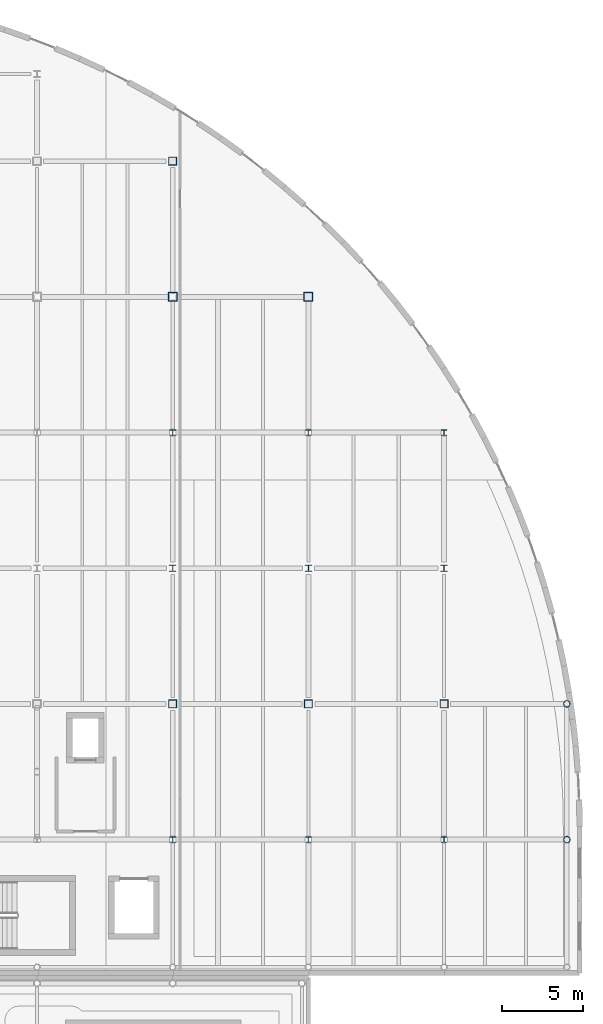
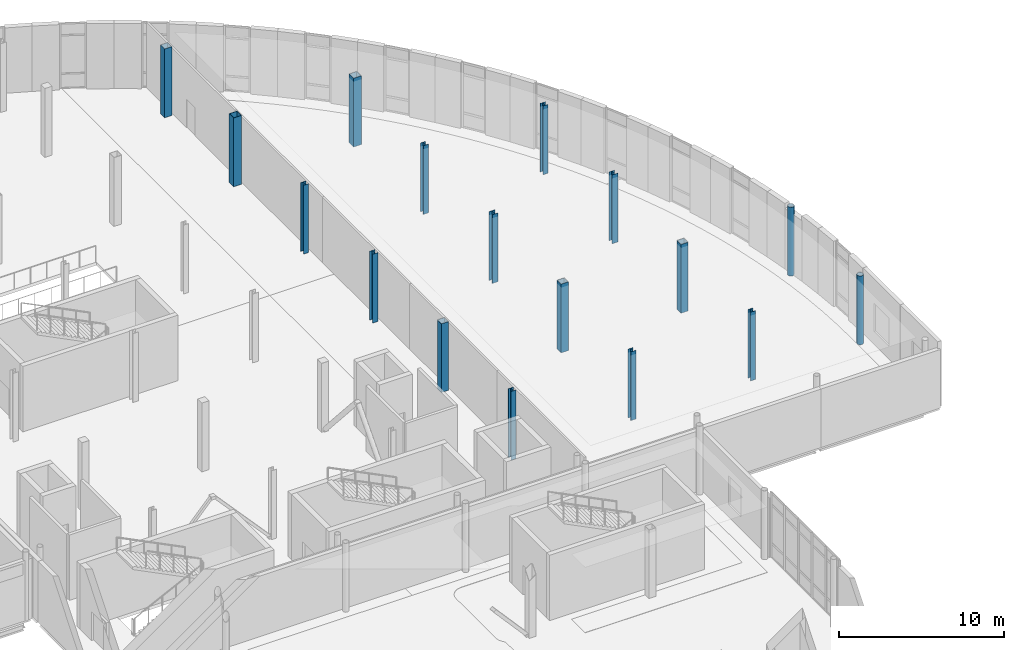
# One storey, part 13 of 104: 17 columns.
"""IFC4 building model written with IfcOpenShell, lengths in metres."""

from ifc_helpers import new_model, si_unit, direction, frame, origin, origin_2d, place, context, subcontext, project, spatial, hollow_rectangle, hollow_circle, i_section, extrude, material, material_profile, profile_set, type_object, element, save


model = new_model("IFC4")

# Units and contexts
model_context = context("Model", 3, precision=1e-05, world=origin(), true_north=direction((0.0, 1.0)))
body_context = subcontext(model_context, "Body", "Model", "MODEL_VIEW")
ifc_project = project(units=[si_unit("LENGTHUNIT", "METRE"), si_unit("AREAUNIT", "SQUARE_METRE"), si_unit("VOLUMEUNIT", "CUBIC_METRE"), si_unit("PLANEANGLEUNIT", "RADIAN"), si_unit("MASSUNIT", "GRAM", prefix="KILO"), si_unit("THERMODYNAMICTEMPERATUREUNIT", "KELVIN")], contexts=[model_context])

# Site, building, storey
site_placement = place(None, origin())
site = spatial("IfcSite", under=ifc_project, at=site_placement, CompositionType="ELEMENT")
building_placement = place(site_placement, origin())
building = spatial("IfcBuilding", under=site, at=building_placement, Name="Lustrewick Department Store", CompositionType="ELEMENT")
storey_placement = place(building_placement, frame((0.0, 0.0, 11.39990234375)))
storey = spatial("IfcBuildingStorey", under=building, at=storey_placement, Name="L03", CompositionType="ELEMENT", Elevation=11.39990234375)

# Columns
ifc_material_1 = material(Name="Structural steel Q355C", Category="steel")
ifc_material_profile_1 = material_profile(ifc_material_1, hollow_rectangle(XDim=0.550048828125, YDim=0.550048828125, WallThickness=0.02197265625, at=origin_2d()), Name="BOX 550x550x22")
ifc_profile_set_1 = profile_set([ifc_material_profile_1], Name="Structural steel Q355C")
column_type_1 = type_object("IfcColumnType", Name="C05", PredefinedType="COLUMN", material=ifc_profile_set_1)
for number, where, z_axis, x_axis, name in (
    (1, (142.800048828125, 92.39990234375, 0.0), (0.0, 0.0, 1.0), (1.0, 0.0, 0.0), "L03 V4 Column C05"),
    (2, (151.199951171875, 92.39990234375, 0.0), (0.0, 0.0, 1.0), (1.0, 0.0, 0.0), "L03 V4 Column C05"),
):
    element("IfcColumn", number, at=place(storey_placement, frame(where, z_axis=z_axis, x_axis=x_axis)), inside=storey, type_object=column_type_1, Name=name, PredefinedType="COLUMN", context=body_context, shape_type="SweptSolid", body=[
        extrude(hollow_rectangle(XDim=0.550048828125, YDim=0.550048828125, WallThickness=0.02197265625, at=origin_2d()), origin(), (0.0, 0.0, 1.0), 5.10009765625),
    ])
ifc_material_2 = material(Name="Structural steel Q355B", Category="steel")
ifc_material_profile_2 = material_profile(ifc_material_2, hollow_rectangle(XDim=0.5, YDim=0.5, WallThickness=0.02001953125, at=origin_2d()), Name="BOX 500x500x20")
ifc_profile_set_2 = profile_set([ifc_material_profile_2], Name="Structural steel Q355B")
column_type_2 = type_object("IfcColumnType", Name="C06", PredefinedType="COLUMN", material=ifc_profile_set_2)
for number, where, z_axis, x_axis, name in (
    (3, (142.800048828125, 67.199951171875, 0.0), (0.0, 0.0, 1.0), (1.0, 0.0, 0.0), "L03 V4 Column C06"),
    (4, (142.800048828125, 100.800048828125, 0.0), (0.0, 0.0, 1.0), (1.0, 0.0, 0.0), "L03 V4 Column C06"),
    (5, (151.199951171875, 67.199951171875, 0.0), (0.0, 0.0, 1.0), (1.0, 0.0, 0.0), "L03 V4 Column C06"),
    (6, (159.60009765625, 67.199951171875, 0.0), (0.0, 0.0, 1.0), (1.0, 0.0, 0.0), "L03 V4 Column C06"),
):
    element("IfcColumn", number, at=place(storey_placement, frame(where, z_axis=z_axis, x_axis=x_axis)), inside=storey, type_object=column_type_2, Name=name, PredefinedType="COLUMN", context=body_context, shape_type="SweptSolid", body=[
        extrude(hollow_rectangle(XDim=0.5, YDim=0.5, WallThickness=0.02001953125, at=origin_2d()), origin(), (0.0, 0.0, 1.0), 5.10009765625),
    ])
ifc_material_profile_3 = material_profile(ifc_material_2, i_section(OverallWidth=0.402099609375, OverallDepth=0.387939453125, WebThickness=0.014892578125, FlangeThickness=0.014892578125, FilletRadius=0.02197265625, at=origin_2d()), Name="HW 388x402x15x15")
ifc_profile_set_3 = profile_set([ifc_material_profile_3], Name="Structural steel Q355B")
column_type_3 = type_object("IfcColumnType", Name="C12", PredefinedType="COLUMN", material=ifc_profile_set_3)
for number, where, z_axis, x_axis, name in (
    (7, (142.800048828125, 75.60009765625, 0.0), (0.0, 0.0, 1.0), (1.0, 0.0, 0.0), "L03 V4 Column C12"),
    (8, (151.199951171875, 75.60009765625, 0.0), (0.0, 0.0, 1.0), (1.0, 0.0, 0.0), "L03 V4 Column C12"),
    (9, (159.60009765625, 75.60009765625, 0.0), (0.0, 0.0, 1.0), (1.0, 0.0, 0.0), "L03 V4 Column C12"),
):
    element("IfcColumn", number, at=place(storey_placement, frame(where, z_axis=z_axis, x_axis=x_axis)), inside=storey, type_object=column_type_3, Name=name, PredefinedType="COLUMN", context=body_context, shape_type="SweptSolid", body=[
        extrude(i_section(OverallWidth=0.402099609375, OverallDepth=0.387939453125, WebThickness=0.014892578125, FlangeThickness=0.014892578125, FilletRadius=0.02197265625, at=origin_2d()), origin(), (0.0, 0.0, 1.0), 5.10009765625),
    ])
ifc_material_profile_4 = material_profile(ifc_material_2, i_section(OverallWidth=0.35009765625, OverallDepth=0.35009765625, WebThickness=0.011962890625, FlangeThickness=0.01904296875, FilletRadius=0.02001953125, at=origin_2d()), Name="HW 350x350x12x19")
ifc_profile_set_4 = profile_set([ifc_material_profile_4], Name="Structural steel Q355B")
column_type_4 = type_object("IfcColumnType", Name="C13", PredefinedType="COLUMN", material=ifc_profile_set_4)
for number, where, z_axis, x_axis, name in (
    (10, (142.800048828125, 58.800048828125, 0.0), (0.0, 0.0, 1.0), (1.0, 0.0, 0.0), "L03 V4 Column C13"),
    (11, (142.800048828125, 84.0, 0.0), (0.0, 0.0, 1.0), (1.0, 0.0, 0.0), "L03 V4 Column C13"),
    (12, (151.199951171875, 58.800048828125, 0.0), (0.0, 0.0, 1.0), (1.0, 0.0, 0.0), "L03 V4 Column C13"),
    (13, (151.199951171875, 84.0, 0.0), (0.0, 0.0, 1.0), (1.0, 0.0, 0.0), "L03 V4 Column C13"),
    (14, (159.60009765625, 58.800048828125, 0.0), (0.0, 0.0, 1.0), (1.0, 0.0, 0.0), "L03 V4 Column C13"),
    (15, (159.60009765625, 84.0, 0.0), (0.0, 0.0, 1.0), (1.0, 0.0, 0.0), "L03 V4 Column C13"),
):
    element("IfcColumn", number, at=place(storey_placement, frame(where, z_axis=z_axis, x_axis=x_axis)), inside=storey, type_object=column_type_4, Name=name, PredefinedType="COLUMN", context=body_context, shape_type="SweptSolid", body=[
        extrude(i_section(OverallWidth=0.35009765625, OverallDepth=0.35009765625, WebThickness=0.011962890625, FlangeThickness=0.01904296875, FilletRadius=0.02001953125, at=origin_2d()), origin(), (0.0, 0.0, 1.0), 5.10009765625),
    ])
ifc_material_profile_5 = material_profile(ifc_material_1, hollow_circle(Radius=0.202880859375, WallThickness=0.01611328125, at=origin_2d()), Name="CHS 406x16")
ifc_profile_set_5 = profile_set([ifc_material_profile_5], Name="Structural steel Q355C")
column_type_5 = type_object("IfcColumnType", Name="CE03", PredefinedType="COLUMN", material=ifc_profile_set_5)
for number, where, z_axis, x_axis, name in (
    (16, (167.199951171875, 58.800048828125, 0.0), (0.0, 0.0, 1.0), (1.0, 0.0, 0.0), "L03 V4 Column CE03"),
    (17, (167.199951171875, 67.199951171875, 0.0), (0.0, 0.0, 1.0), (1.0, 0.0, 0.0), "L03 V4 Column CE03"),
):
    element("IfcColumn", number, at=place(storey_placement, frame(where, z_axis=z_axis, x_axis=x_axis)), inside=storey, type_object=column_type_5, Name=name, PredefinedType="COLUMN", context=body_context, shape_type="SweptSolid", body=[
        extrude(hollow_circle(Radius=0.202880859375, WallThickness=0.01611328125, at=origin_2d()), origin(), (0.0, 0.0, 1.0), 5.10009765625),
    ])

save(model, "model.ifc")
